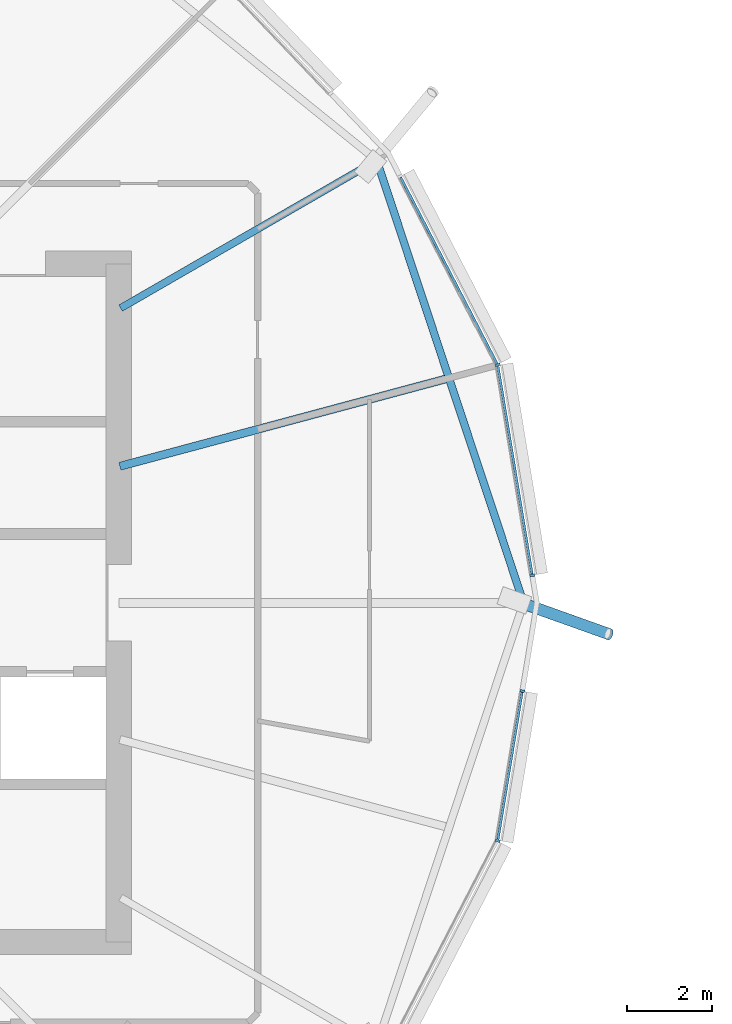
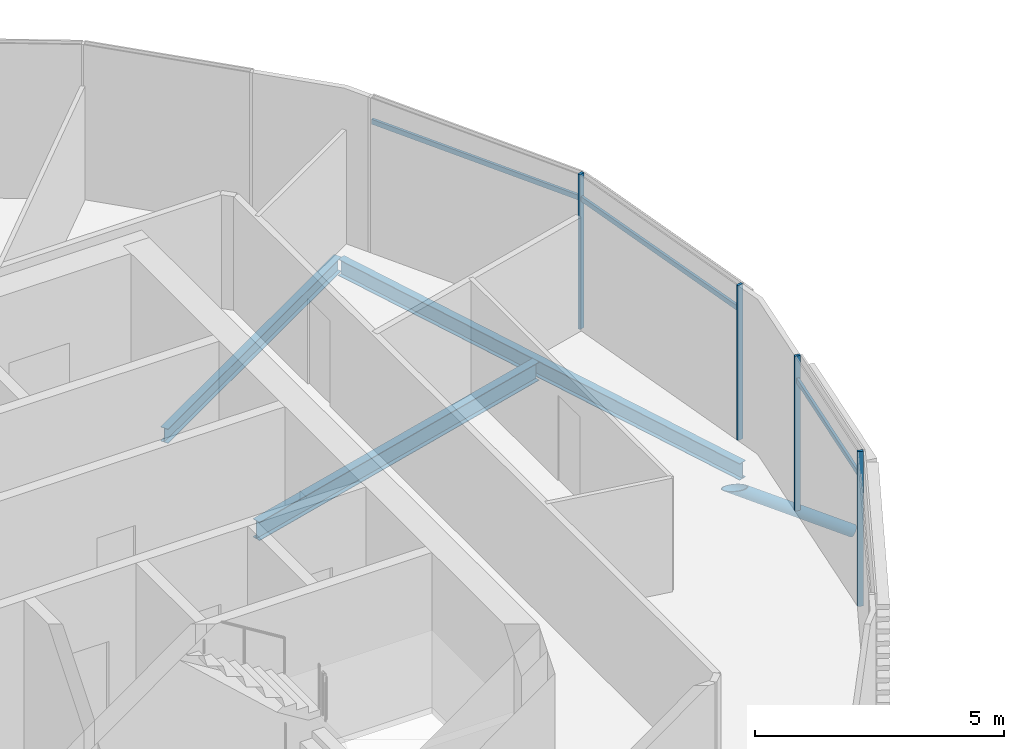
# One storey, part 8 of 38: 8 members, 3 beams, 1 element without a shape of its own.
"""IFC4 building model written with IfcOpenShell, lengths in metres."""

from ifc_helpers import new_model, si_unit, direction, frame, origin, origin_2d, place, context, subcontext, project, spatial, rectangle, hollow_circle, i_section, extrude, clip, halfspace, material, material_profile, profile_set, type_object, element, aggregate, save


model = new_model("IFC4")

# Units and contexts
model_context = context("Model", 3, precision=1e-05, world=origin(), true_north=direction((0.0, 1.0)))
body_context = subcontext(model_context, "Body", "Model", "MODEL_VIEW")
ifc_project = project(units=[si_unit("LENGTHUNIT", "METRE"), si_unit("AREAUNIT", "SQUARE_METRE"), si_unit("VOLUMEUNIT", "CUBIC_METRE"), si_unit("PLANEANGLEUNIT", "RADIAN"), si_unit("MASSUNIT", "GRAM", prefix="KILO")], contexts=[model_context])

# Site, building, storey
site_placement = place(None, origin())
site = spatial("IfcSite", under=ifc_project, at=site_placement, CompositionType="ELEMENT")
building_placement = place(site_placement, origin())
building = spatial("IfcBuilding", under=site, at=building_placement, Name="Rimbun Link Towers", CompositionType="ELEMENT")
storey_placement = place(building_placement, frame((0.0, 0.0, 185.5)))
storey = spatial("IfcBuildingStorey", under=building, at=storey_placement, Name="L45", CompositionType="ELEMENT", Elevation=185.5)

# Curtain wall, members
ifc_material_1 = material(Name="Aluminium 6063-T6 and low-iron glass", Category="aluminium")
curtain_wall_type = type_object("IfcCurtainWallType", Name="CW1-Z3 unitised vision wall (zone 3)", PredefinedType="NOTDEFINED", material=ifc_material_1)
curtain_wall_placement = place(storey_placement, origin())
curtain_wall = element("IfcCurtainWall", 1, at=curtain_wall_placement, inside=storey, type_object=curtain_wall_type, Name="CW1 L45 T1", PredefinedType="NOTDEFINED")
ifc_material_2 = material(Name="Aluminium 6063-T6", Category="aluminium")
ifc_material_profile_1 = material_profile(ifc_material_2, rectangle(XDim=0.1201171875, YDim=0.06005859375, at=origin_2d()), Name="MULLION 60X120")
ifc_profile_set_1 = profile_set([ifc_material_profile_1], Name="Aluminium 6063-T6")
member_type_1 = type_object("IfcMemberType", Name="CW1 mullion 60X120", PredefinedType="MULLION", material=ifc_profile_set_1)
member_1_placement = place(storey_placement, frame((-10.81201171875, 5.61376953125, 0.0), z_axis=(0.0, 0.0, 1.0), x_axis=(0.94916191526, 0.31478827586, 0.0)))
member_1 = element("IfcMember", 2, at=member_1_placement, type_object=member_type_1, Name="CW1 mullion", PredefinedType="MULLION", context=body_context, shape_type="SweptSolid", body=[
    extrude(rectangle(XDim=0.1201171875, YDim=0.06005859375, at=origin_2d()), origin(), (0.0, 0.0, 1.0), 3.800048828125),
])
member_2_placement = place(storey_placement, frame((-9.995361328125, 0.651123046875, 0.0), z_axis=(0.0, 0.0, 1.0), x_axis=(0.98674908357, 0.162253647337, 0.0)))
member_2 = element("IfcMember", 3, at=member_2_placement, type_object=member_type_1, Name="CW1 mullion", PredefinedType="MULLION", context=body_context, shape_type="SweptSolid", body=[
    extrude(rectangle(XDim=0.1201171875, YDim=0.06005859375, at=origin_2d()), origin(), (0.0, 0.0, 1.0), 3.800048828125),
])
member_3_placement = place(storey_placement, frame((-10.81201171875, -5.61376953125, 0.0), z_axis=(0.0, 0.0, 1.0), x_axis=(0.94916191526, -0.31478827586, 0.0)))
member_3 = element("IfcMember", 4, at=member_3_placement, type_object=member_type_1, Name="CW1 mullion", PredefinedType="MULLION", context=body_context, shape_type="SweptSolid", body=[
    extrude(rectangle(XDim=0.1201171875, YDim=0.06005859375, at=origin_2d()), origin(), (0.0, 0.0, 1.0), 3.800048828125),
])
member_4_placement = place(storey_placement, frame((-10.23046875, -2.081787109375, 0.0), z_axis=(0.0, 0.0, 1.0), x_axis=(0.98674908357, -0.162253647337, 0.0)))
member_4 = element("IfcMember", 5, at=member_4_placement, type_object=member_type_1, Name="CW1 mullion", PredefinedType="MULLION", context=body_context, shape_type="SweptSolid", body=[
    extrude(rectangle(XDim=0.1201171875, YDim=0.06005859375, at=origin_2d()), origin(), (0.0, 0.0, 1.0), 3.800048828125),
])
ifc_material_3 = material(Name="Aluminium 6063-T6", Category="aluminium")
ifc_material_profile_2 = material_profile(ifc_material_3, rectangle(XDim=0.06005859375, YDim=0.1201171875, at=origin_2d()), Name="TRANSOM 60X120")
ifc_profile_set_2 = profile_set([ifc_material_profile_2], Name="Aluminium 6063-T6")
member_type_2 = type_object("IfcMemberType", Name="CW1 transom 60X120", PredefinedType="USERDEFINED", material=ifc_profile_set_2)
member_5_placement = place(storey_placement, frame((-10.806884765625, 5.57470703125, 3.199951171875), z_axis=(0.162235487648, -0.986752069442, 0.0), x_axis=(0.986752069442, 0.162235487648, 0.0)))
member_5 = element("IfcMember", 6, at=member_5_placement, type_object=member_type_2, Name="CW1 transom", ObjectType="TRANSOM", PredefinedType="USERDEFINED", context=body_context, shape_type="SweptSolid", body=[
    extrude(rectangle(XDim=0.06005859375, YDim=0.1201171875, at=origin_2d()), origin(), (0.0, 0.0, 1.0), 4.9599609375),
])
member_6_placement = place(storey_placement, frame((-13.10205078125, 10.03662109375, 3.199951171875), z_axis=(0.45956270742, -0.888145324791, 0.0), x_axis=(0.888145324791, 0.45956270742, 0.0)))
member_6 = element("IfcMember", 7, at=member_6_placement, type_object=member_type_2, Name="CW1 transom", ObjectType="TRANSOM", PredefinedType="USERDEFINED", context=body_context, shape_type="SweptSolid", body=[
    extrude(rectangle(XDim=0.06005859375, YDim=0.1201171875, at=origin_2d()), origin(), (0.0, 0.0, 1.0), 4.941162109375),
])
member_7_placement = place(storey_placement, frame((-10.2373046875, -2.111083984375, 3.199951171875), z_axis=(-0.162266901198, -0.986746904113, 0.0), x_axis=(0.986746904113, -0.162266901198, 0.0)))
member_7 = element("IfcMember", 8, at=member_7_placement, type_object=member_type_2, Name="CW1 transom", ObjectType="TRANSOM", PredefinedType="USERDEFINED", context=body_context, shape_type="SweptSolid", body=[
    extrude(rectangle(XDim=0.06005859375, YDim=0.1201171875, at=origin_2d()), origin(), (0.0, 0.0, 1.0), 3.51025390625),
])
aggregate(curtain_wall, [member_1, member_2, member_3, member_4, member_5, member_6, member_7])

# Member
ifc_material_4 = material(Name="Steel S355J2H", Category="steel")
ifc_material_profile_3 = material_profile(ifc_material_4, hollow_circle(Radius=0.136474609375, WallThickness=0.012451171875, at=origin_2d()), Name="CHS 273x12.5")
ifc_profile_set_3 = profile_set([ifc_material_profile_3], Name="Steel S355J2H")
member_type_3 = type_object("IfcMemberType", Name="Floor edge link CHS 273x12.5", PredefinedType="BRACE", material=ifc_profile_set_3)
member_8_placement = place(storey_placement, frame((-10.25244140625, 0.0, -0.8017578125), z_axis=(0.821214368473, -0.293029898748, -0.489632964017), x_axis=(0.336070962576, 0.941836667429, 0.0)))
element("IfcMember", 9, at=member_8_placement, inside=storey, type_object=member_type_3, Name="Floor edge link T1 L45 00", PredefinedType="BRACE", context=body_context, shape_type="Clipping", body=[
    clip(extrude(hollow_circle(Radius=0.136474609375, WallThickness=0.012451171875, at=origin_2d()), frame((0.0, 0.0, -0.506591796875)), (0.0, 0.0, 1.0), 3.0458984375), halfspace(frame((0.0, 0.0, -0.23828125), z_axis=(0.0, 0.871928644183, -0.489632964017)), False)),
])

# Beams
ifc_material_5 = material(Name="Steel S355J2", Category="steel")
ifc_material_profile_4 = material_profile(ifc_material_5, i_section(OverallWidth=0.17138671875, OverallDepth=0.35498046875, WebThickness=0.00732421875, FlangeThickness=0.011474609375, at=origin_2d()), Name="UB 356x171x51")
ifc_profile_set_4 = profile_set([ifc_material_profile_4], Name="Steel S355J2")
beam_type_1 = type_object("IfcBeamType", Name="UB 356x171x51", PredefinedType="BEAM", material=ifc_profile_set_4)
beam_1_placement = place(storey_placement, frame((-19.706298828125, 6.95361328125, -0.327392578125), z_axis=(0.866028783947, 0.499994145342, 0.0), x_axis=(-0.499994145342, 0.866028783947, 0.0)))
element("IfcBeam", 10, at=beam_1_placement, inside=storey, type_object=beam_type_1, Name="Radial beam T1 L45 02", PredefinedType="BEAM", context=body_context, shape_type="SweptSolid", body=[
    extrude(i_section(OverallWidth=0.17138671875, OverallDepth=0.35498046875, WebThickness=0.00732421875, FlangeThickness=0.011474609375, at=origin_2d()), origin(), (0.0, 0.0, 1.0), 6.974609375),
])
ifc_material_6 = material(Name="Steel S355J2", Category="steel")
ifc_material_profile_5 = material_profile(ifc_material_6, i_section(OverallWidth=0.177978515625, OverallDepth=0.406494140625, WebThickness=0.0078125, FlangeThickness=0.0126953125, at=origin_2d()), Name="UB 406x178x60")
ifc_profile_set_5 = profile_set([ifc_material_profile_5], Name="Steel S355J2")
beam_type_2 = type_object("IfcBeamType", Name="UB 406x178x60", PredefinedType="BEAM", material=ifc_profile_set_5)
beam_2_placement = place(storey_placement, frame((-10.2373046875, 0.105712890625, -0.353271484375), z_axis=(-0.314864361063, 0.94913667832, 0.0), x_axis=(-0.94913667832, -0.314864361063, 0.0)))
element("IfcBeam", 11, at=beam_2_placement, inside=storey, type_object=beam_type_2, Name="Edge beam T1 L45 00-02", PredefinedType="BEAM", context=body_context, shape_type="SweptSolid", body=[
    extrude(i_section(OverallWidth=0.177978515625, OverallDepth=0.406494140625, WebThickness=0.0078125, FlangeThickness=0.0126953125, at=origin_2d()), origin(), (0.0, 0.0, 1.0), 10.80029296875),
])
ifc_material_7 = material(Name="Steel S355J2", Category="steel")
ifc_material_profile_6 = material_profile(ifc_material_7, i_section(OverallWidth=0.18994140625, OverallDepth=0.453369140625, WebThickness=0.008544921875, FlangeThickness=0.0126953125, at=origin_2d()), Name="UB 457x191x67")
ifc_profile_set_6 = profile_set([ifc_material_profile_6], Name="Steel S355J2")
beam_type_3 = type_object("IfcBeamType", Name="UB 457x191x67", PredefinedType="BEAM", material=ifc_profile_set_6)
beam_3_placement = place(storey_placement, frame((-19.724609375, 3.22216796875, -0.376708984375), z_axis=(0.965924739595, 0.258823100664, 0.0), x_axis=(-0.258823100664, 0.965924739595, 0.0)))
element("IfcBeam", 12, at=beam_3_placement, inside=storey, type_object=beam_type_3, Name="Radial beam T1 L45 01", PredefinedType="BEAM", context=body_context, shape_type="SweptSolid", body=[
    extrude(i_section(OverallWidth=0.18994140625, OverallDepth=0.453369140625, WebThickness=0.008544921875, FlangeThickness=0.0126953125, at=origin_2d()), origin(), (0.0, 0.0, 1.0), 7.947021484375),
])

save(model, "model.ifc")
